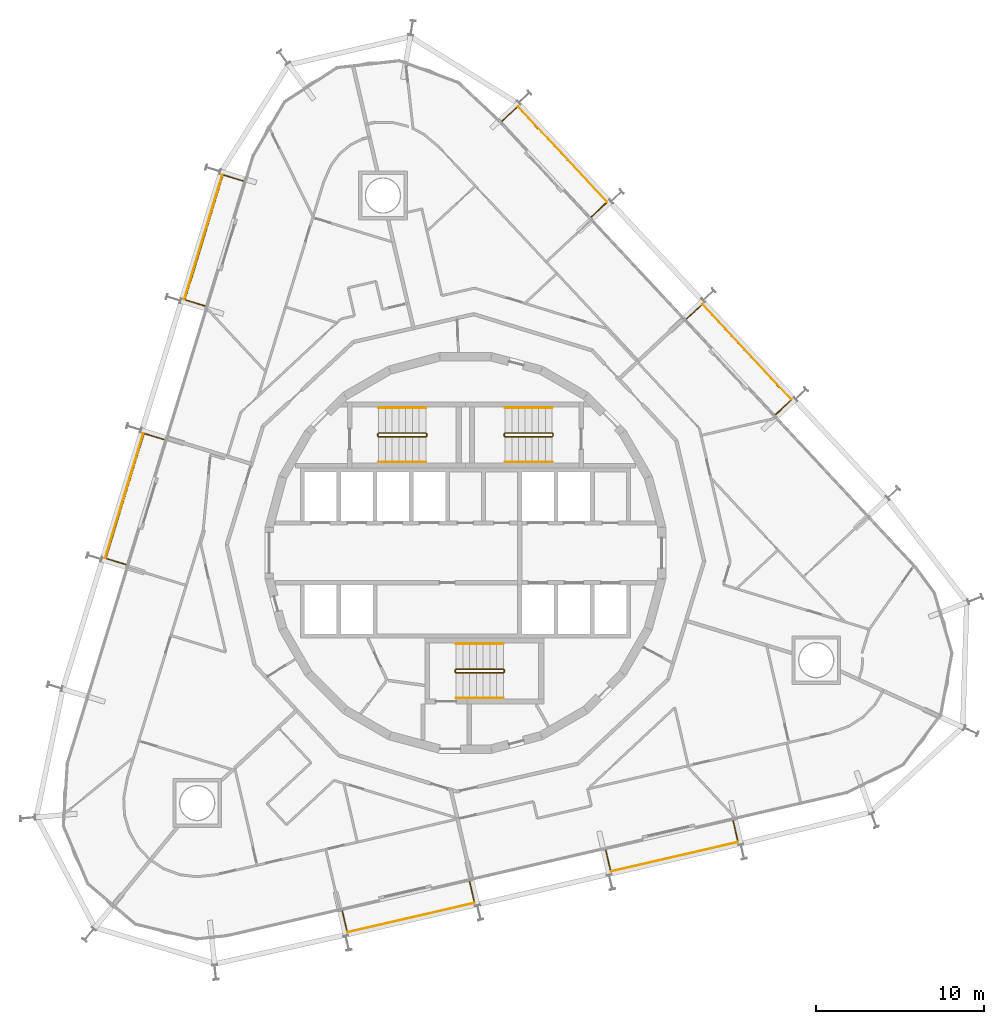
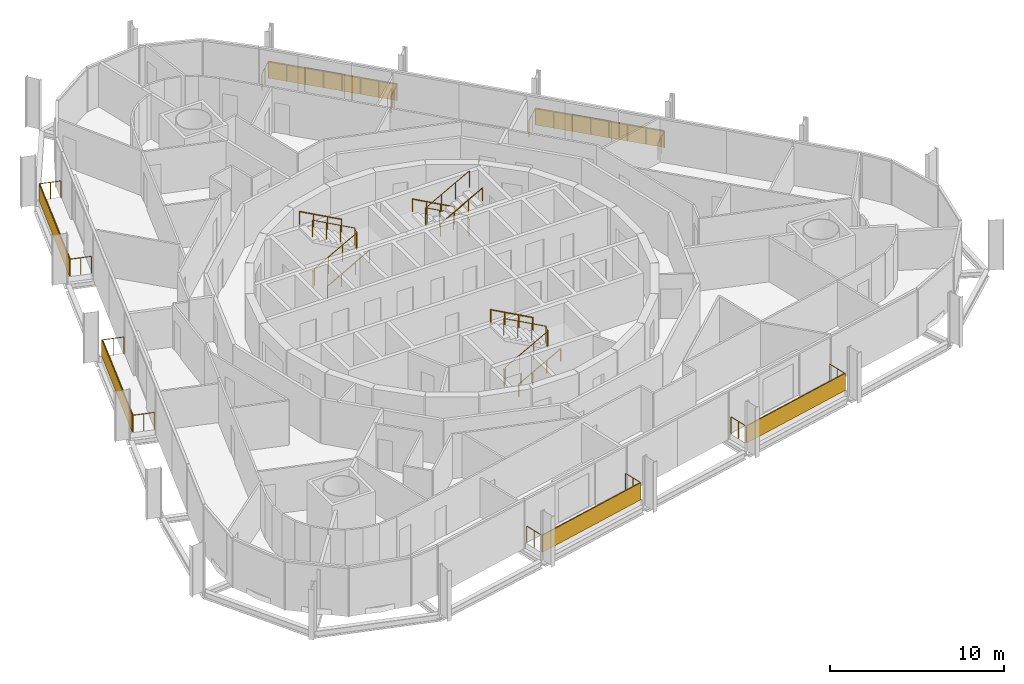
# One storey, part 18 of 18: 15 railings, 6 shading devices.
"""IFC4 building model written with IfcOpenShell, lengths in metres."""

from ifc_helpers import new_model, si_unit, direction, frame, origin, origin_2d, place, context, subcontext, project, spatial, rectangle, circle, extrude, material, layer, layer_set, type_object, element, save


model = new_model("IFC4")

# Units and contexts
model_context = context("Model", 3, precision=1e-05, world=origin(), true_north=direction((0.0, 1.0)))
body_context = subcontext(model_context, "Body", "Model", "MODEL_VIEW")
ifc_project = project(units=[si_unit("LENGTHUNIT", "METRE"), si_unit("AREAUNIT", "SQUARE_METRE"), si_unit("VOLUMEUNIT", "CUBIC_METRE"), si_unit("PLANEANGLEUNIT", "RADIAN"), si_unit("MASSUNIT", "GRAM", prefix="KILO")], contexts=[model_context])

# Site, building, storey
site_placement = place(None, origin())
site = spatial("IfcSite", under=ifc_project, at=site_placement, CompositionType="ELEMENT")
building_placement = place(site_placement, origin())
building = spatial("IfcBuilding", under=site, at=building_placement, Name="Spindle Arch Residences", CompositionType="ELEMENT")
storey_placement = place(building_placement, frame((0.0, 0.0, 134.39990234375)))
storey = spatial("IfcBuildingStorey", under=building, at=storey_placement, Name="L33", CompositionType="ELEMENT", Elevation=134.39990234375)

# Railings
ifc_material_1 = material(Name="Bronze anodised aluminium guard with glass infill", Category="aluminium")
railing_type_1 = type_object("IfcRailingType", Name="Balcony guard 1200", PredefinedType="GUARDRAIL", material=ifc_material_1)
railing_1_placement = place(storey_placement, frame((8.33544921875, -17.658447265625, 0.0)))
element("IfcRailing", 1, at=railing_1_placement, inside=storey, type_object=railing_type_1, Name="Guard L33 bay 1", PredefinedType="GUARDRAIL", context=body_context, shape_type="SweptSolid", body=[
    extrude(circle(Radius=0.02392578125, at=origin_2d()), frame((0.0, 0.0, 1.17578125), z_axis=(0.224987877395, -0.974361562781, 0.0), x_axis=(0.974361562781, 0.224987877395, 0.0)), (0.0, 0.0, 1.0), 1.25),
    extrude(circle(Radius=0.02392578125, at=origin_2d()), frame((0.28125, -1.218017578125, 1.17578125), z_axis=(0.974365204353, 0.224972106149, 0.0), x_axis=(-0.224972106149, 0.974365204353, 0.0)), (0.0, 0.0, 1.0), 7.75927734375),
    extrude(circle(Radius=0.02392578125, at=origin_2d()), frame((7.841552734375, 0.527587890625, 1.17578125), z_axis=(-0.225030699336, 0.974351673861, 0.0), x_axis=(-0.974351673861, -0.225030699336, 0.0)), (0.0, 0.0, 1.0), 1.249755859375),
    extrude(circle(Radius=0.02099609375, at=origin_2d()), origin(), (0.0, 0.0, 1.0), 1.15185546875),
    extrude(circle(Radius=0.02099609375, at=origin_2d()), frame((0.140625, -0.60888671875, 0.0)), (0.0, 0.0, 1.0), 1.15185546875),
    extrude(circle(Radius=0.02099609375, at=origin_2d()), frame((0.28125, -1.218017578125, 0.0)), (0.0, 0.0, 1.0), 1.15185546875),
    extrude(circle(Radius=0.02099609375, at=origin_2d()), frame((1.361328125, -0.96875, 0.0)), (0.0, 0.0, 1.0), 1.15185546875),
    extrude(circle(Radius=0.02099609375, at=origin_2d()), frame((2.44140625, -0.71923828125, 0.0)), (0.0, 0.0, 1.0), 1.15185546875),
    extrude(circle(Radius=0.02099609375, at=origin_2d()), frame((3.521484375, -0.469970703125, 0.0)), (0.0, 0.0, 1.0), 1.15185546875),
    extrude(circle(Radius=0.02099609375, at=origin_2d()), frame((4.601318359375, -0.220458984375, 0.0)), (0.0, 0.0, 1.0), 1.15185546875),
    extrude(circle(Radius=0.02099609375, at=origin_2d()), frame((5.681396484375, 0.02880859375, 0.0)), (0.0, 0.0, 1.0), 1.15185546875),
    extrude(circle(Radius=0.02099609375, at=origin_2d()), frame((6.761474609375, 0.2783203125, 0.0)), (0.0, 0.0, 1.0), 1.15185546875),
    extrude(circle(Radius=0.02099609375, at=origin_2d()), frame((7.841552734375, 0.527587890625, 0.0)), (0.0, 0.0, 1.0), 1.15185546875),
    extrude(circle(Radius=0.02099609375, at=origin_2d()), frame((7.700927734375, 1.136474609375, 0.0)), (0.0, 0.0, 1.0), 1.15185546875),
    extrude(circle(Radius=0.02099609375, at=origin_2d()), frame((7.560302734375, 1.745361328125, 0.0)), (0.0, 0.0, 1.0), 1.15185546875),
])
railing_2_placement = place(storey_placement, frame((18.426025390625, 8.218505859375, 0.0)))
element("IfcRailing", 2, at=railing_2_placement, inside=storey, type_object=railing_type_1, Name="Guard L33 bay 7", PredefinedType="GUARDRAIL", context=body_context, shape_type="SweptSolid", body=[
    extrude(circle(Radius=0.02392578125, at=origin_2d()), frame((0.0, 0.0, 1.17578125), z_axis=(0.731477318681, 0.681865772902, 0.0), x_axis=(-0.681865772902, 0.731477318681, 0.0)), (0.0, 0.0, 1.0), 1.25),
    extrude(circle(Radius=0.02392578125, at=origin_2d()), frame((0.914306640625, 0.852294921875, 1.17578125), z_axis=(-0.681991953625, 0.731359675666, 0.0), x_axis=(-0.731359675666, -0.681991953625, 0.0)), (0.0, 0.0, 1.0), 7.75927734375),
    extrude(circle(Radius=0.02392578125, at=origin_2d()), frame((-4.37744140625, 6.527099609375, 1.17578125), z_axis=(-0.731379904041, -0.681970260323, 0.0), x_axis=(0.681970260323, -0.731379904041, 0.0)), (0.0, 0.0, 1.0), 1.25),
    extrude(circle(Radius=0.02099609375, at=origin_2d()), origin(), (0.0, 0.0, 1.0), 1.15185546875),
    extrude(circle(Radius=0.02099609375, at=origin_2d()), frame((0.45703125, 0.42626953125, 0.0)), (0.0, 0.0, 1.0), 1.15185546875),
    extrude(circle(Radius=0.02099609375, at=origin_2d()), frame((0.914306640625, 0.852294921875, 0.0)), (0.0, 0.0, 1.0), 1.15185546875),
    extrude(circle(Radius=0.02099609375, at=origin_2d()), frame((0.158447265625, 1.6630859375, 0.0)), (0.0, 0.0, 1.0), 1.15185546875),
    extrude(circle(Radius=0.02099609375, at=origin_2d()), frame((-0.59765625, 2.4736328125, 0.0)), (0.0, 0.0, 1.0), 1.15185546875),
    extrude(circle(Radius=0.02099609375, at=origin_2d()), frame((-1.353515625, 3.284423828125, 0.0)), (0.0, 0.0, 1.0), 1.15185546875),
    extrude(circle(Radius=0.02099609375, at=origin_2d()), frame((-2.109619140625, 4.094970703125, 0.0)), (0.0, 0.0, 1.0), 1.15185546875),
    extrude(circle(Radius=0.02099609375, at=origin_2d()), frame((-2.865478515625, 4.90576171875, 0.0)), (0.0, 0.0, 1.0), 1.15185546875),
    extrude(circle(Radius=0.02099609375, at=origin_2d()), frame((-3.62158203125, 5.71630859375, 0.0)), (0.0, 0.0, 1.0), 1.15185546875),
    extrude(circle(Radius=0.02099609375, at=origin_2d()), frame((-4.37744140625, 6.527099609375, 0.0)), (0.0, 0.0, 1.0), 1.15185546875),
    extrude(circle(Radius=0.02099609375, at=origin_2d()), frame((-4.83447265625, 6.100830078125, 0.0)), (0.0, 0.0, 1.0), 1.15185546875),
    extrude(circle(Radius=0.02099609375, at=origin_2d()), frame((-5.291748046875, 5.674560546875, 0.0)), (0.0, 0.0, 1.0), 1.15185546875),
])
railing_3_placement = place(storey_placement, frame((7.474365234375, 19.962646484375, 0.0)))
element("IfcRailing", 3, at=railing_3_placement, inside=storey, type_object=railing_type_1, Name="Guard L33 bay 9", PredefinedType="GUARDRAIL", context=body_context, shape_type="SweptSolid", body=[
    extrude(circle(Radius=0.02392578125, at=origin_2d()), frame((0.0, 0.0, 1.17578125), z_axis=(0.731289056092, 0.682067677317, 0.0), x_axis=(-0.682067677317, 0.731289056092, 0.0)), (0.0, 0.0, 1.0), 1.25),
    extrude(circle(Radius=0.02392578125, at=origin_2d()), frame((0.9140625, 0.8525390625, 1.17578125), z_axis=(-0.681991953625, 0.731359675666, 0.0), x_axis=(-0.731359675666, -0.681991953625, 0.0)), (0.0, 0.0, 1.0), 7.75927734375),
    extrude(circle(Radius=0.02392578125, at=origin_2d()), frame((-4.377685546875, 6.52734375, 1.17578125), z_axis=(-0.731289056092, -0.682067677317, 0.0), x_axis=(0.682067677317, -0.731289056092, 0.0)), (0.0, 0.0, 1.0), 1.25),
    extrude(circle(Radius=0.02099609375, at=origin_2d()), origin(), (0.0, 0.0, 1.0), 1.15185546875),
    extrude(circle(Radius=0.02099609375, at=origin_2d()), frame((0.45703125, 0.42626953125, 0.0)), (0.0, 0.0, 1.0), 1.15185546875),
    extrude(circle(Radius=0.02099609375, at=origin_2d()), frame((0.9140625, 0.8525390625, 0.0)), (0.0, 0.0, 1.0), 1.15185546875),
    extrude(circle(Radius=0.02099609375, at=origin_2d()), frame((0.158203125, 1.663330078125, 0.0)), (0.0, 0.0, 1.0), 1.15185546875),
    extrude(circle(Radius=0.02099609375, at=origin_2d()), frame((-0.597900390625, 2.473876953125, 0.0)), (0.0, 0.0, 1.0), 1.15185546875),
    extrude(circle(Radius=0.02099609375, at=origin_2d()), frame((-1.353759765625, 3.28466796875, 0.0)), (0.0, 0.0, 1.0), 1.15185546875),
    extrude(circle(Radius=0.02099609375, at=origin_2d()), frame((-2.10986328125, 4.09521484375, 0.0)), (0.0, 0.0, 1.0), 1.15185546875),
    extrude(circle(Radius=0.02099609375, at=origin_2d()), frame((-2.86572265625, 4.906005859375, 0.0)), (0.0, 0.0, 1.0), 1.15185546875),
    extrude(circle(Radius=0.02099609375, at=origin_2d()), frame((-3.621826171875, 5.716552734375, 0.0)), (0.0, 0.0, 1.0), 1.15185546875),
    extrude(circle(Radius=0.02099609375, at=origin_2d()), frame((-4.377685546875, 6.52734375, 0.0)), (0.0, 0.0, 1.0), 1.15185546875),
    extrude(circle(Radius=0.02099609375, at=origin_2d()), frame((-4.834716796875, 6.10107421875, 0.0)), (0.0, 0.0, 1.0), 1.15185546875),
    extrude(circle(Radius=0.02099609375, at=origin_2d()), frame((-5.291748046875, 5.6748046875, 0.0)), (0.0, 0.0, 1.0), 1.15185546875),
])
railing_4_placement = place(storey_placement, frame((-13.200439453125, 22.0859375, 0.0)))
element("IfcRailing", 4, at=railing_4_placement, inside=storey, type_object=railing_type_1, Name="Guard L33 bay 13", PredefinedType="GUARDRAIL", context=body_context, shape_type="SweptSolid", body=[
    extrude(circle(Radius=0.02392578125, at=origin_2d()), frame((0.0, 0.0, 1.17578125), z_axis=(-0.95629696894, 0.292397173714, 0.0), x_axis=(-0.292397173714, -0.95629696894, 0.0)), (0.0, 0.0, 1.0), 1.25),
    extrude(circle(Radius=0.02392578125, at=origin_2d()), frame((-1.1953125, 0.365478515625, 1.17578125), z_axis=(-0.29236961561, -0.956305394666, 0.0), x_axis=(0.956305394666, -0.29236961561, 0.0)), (0.0, 0.0, 1.0), 7.75927734375),
    extrude(circle(Radius=0.02392578125, at=origin_2d()), frame((-3.4638671875, -7.0546875, 1.17578125), z_axis=(0.95629696894, -0.292397173714, 0.0), x_axis=(0.292397173714, 0.95629696894, 0.0)), (0.0, 0.0, 1.0), 1.25),
    extrude(circle(Radius=0.02099609375, at=origin_2d()), origin(), (0.0, 0.0, 1.0), 1.15185546875),
    extrude(circle(Radius=0.02099609375, at=origin_2d()), frame((-0.59765625, 0.1826171875, 0.0)), (0.0, 0.0, 1.0), 1.15185546875),
    extrude(circle(Radius=0.02099609375, at=origin_2d()), frame((-1.1953125, 0.365478515625, 0.0)), (0.0, 0.0, 1.0), 1.15185546875),
    extrude(circle(Radius=0.02099609375, at=origin_2d()), frame((-1.519287109375, -0.694580078125, 0.0)), (0.0, 0.0, 1.0), 1.15185546875),
    extrude(circle(Radius=0.02099609375, at=origin_2d()), frame((-1.843505859375, -1.754638671875, 0.0)), (0.0, 0.0, 1.0), 1.15185546875),
    extrude(circle(Radius=0.02099609375, at=origin_2d()), frame((-2.16748046875, -2.814697265625, 0.0)), (0.0, 0.0, 1.0), 1.15185546875),
    extrude(circle(Radius=0.02099609375, at=origin_2d()), frame((-2.49169921875, -3.87451171875, 0.0)), (0.0, 0.0, 1.0), 1.15185546875),
    extrude(circle(Radius=0.02099609375, at=origin_2d()), frame((-2.815673828125, -4.9345703125, 0.0)), (0.0, 0.0, 1.0), 1.15185546875),
    extrude(circle(Radius=0.02099609375, at=origin_2d()), frame((-3.139892578125, -5.99462890625, 0.0)), (0.0, 0.0, 1.0), 1.15185546875),
    extrude(circle(Radius=0.02099609375, at=origin_2d()), frame((-3.4638671875, -7.0546875, 0.0)), (0.0, 0.0, 1.0), 1.15185546875),
    extrude(circle(Radius=0.02099609375, at=origin_2d()), frame((-2.8662109375, -7.2373046875, 0.0)), (0.0, 0.0, 1.0), 1.15185546875),
    extrude(circle(Radius=0.02099609375, at=origin_2d()), frame((-2.2685546875, -7.420166015625, 0.0)), (0.0, 0.0, 1.0), 1.15185546875),
])
railing_5_placement = place(storey_placement, frame((-17.895263671875, 6.729248046875, 0.0)))
element("IfcRailing", 5, at=railing_5_placement, inside=storey, type_object=railing_type_1, Name="Guard L33 bay 15", PredefinedType="GUARDRAIL", context=body_context, shape_type="SweptSolid", body=[
    extrude(circle(Radius=0.02392578125, at=origin_2d()), frame((0.0, 0.0, 1.17578125), z_axis=(-0.956313663541, 0.29234256776, 0.0), x_axis=(-0.29234256776, -0.956313663541, 0.0)), (0.0, 0.0, 1.0), 1.250244140625),
    extrude(circle(Radius=0.02392578125, at=origin_2d()), frame((-1.195556640625, 0.365478515625, 1.17578125), z_axis=(-0.29236961561, -0.956305394666, 0.0), x_axis=(0.956305394666, -0.29236961561, 0.0)), (0.0, 0.0, 1.0), 7.75927734375),
    extrude(circle(Radius=0.02392578125, at=origin_2d()), frame((-3.464111328125, -7.0546875, 1.17578125), z_axis=(0.956368246211, -0.292163956776, 0.0), x_axis=(0.292163956776, 0.956368246211, 0.0)), (0.0, 0.0, 1.0), 1.25),
    extrude(circle(Radius=0.02099609375, at=origin_2d()), origin(), (0.0, 0.0, 1.0), 1.15185546875),
    extrude(circle(Radius=0.02099609375, at=origin_2d()), frame((-0.59765625, 0.1826171875, 0.0)), (0.0, 0.0, 1.0), 1.15185546875),
    extrude(circle(Radius=0.02099609375, at=origin_2d()), frame((-1.195556640625, 0.365478515625, 0.0)), (0.0, 0.0, 1.0), 1.15185546875),
    extrude(circle(Radius=0.02099609375, at=origin_2d()), frame((-1.51953125, -0.694580078125, 0.0)), (0.0, 0.0, 1.0), 1.15185546875),
    extrude(circle(Radius=0.02099609375, at=origin_2d()), frame((-1.84375, -1.754638671875, 0.0)), (0.0, 0.0, 1.0), 1.15185546875),
    extrude(circle(Radius=0.02099609375, at=origin_2d()), frame((-2.167724609375, -2.814697265625, 0.0)), (0.0, 0.0, 1.0), 1.15185546875),
    extrude(circle(Radius=0.02099609375, at=origin_2d()), frame((-2.491943359375, -3.87451171875, 0.0)), (0.0, 0.0, 1.0), 1.15185546875),
    extrude(circle(Radius=0.02099609375, at=origin_2d()), frame((-2.81591796875, -4.9345703125, 0.0)), (0.0, 0.0, 1.0), 1.15185546875),
    extrude(circle(Radius=0.02099609375, at=origin_2d()), frame((-3.14013671875, -5.99462890625, 0.0)), (0.0, 0.0, 1.0), 1.15185546875),
    extrude(circle(Radius=0.02099609375, at=origin_2d()), frame((-3.464111328125, -7.0546875, 0.0)), (0.0, 0.0, 1.0), 1.15185546875),
    extrude(circle(Radius=0.02099609375, at=origin_2d()), frame((-2.8662109375, -7.2373046875, 0.0)), (0.0, 0.0, 1.0), 1.15185546875),
    extrude(circle(Radius=0.02099609375, at=origin_2d()), frame((-2.2685546875, -7.419921875, 0.0)), (0.0, 0.0, 1.0), 1.15185546875),
])
railing_6_placement = place(storey_placement, frame((-7.311279296875, -21.270751953125, 0.0)))
element("IfcRailing", 6, at=railing_6_placement, inside=storey, type_object=railing_type_1, Name="Guard L33 bay 21", PredefinedType="GUARDRAIL", context=body_context, shape_type="SweptSolid", body=[
    extrude(circle(Radius=0.02392578125, at=origin_2d()), frame((0.0, 0.0, 1.17578125), z_axis=(0.224987877395, -0.974361562781, 0.0), x_axis=(0.974361562781, 0.224987877395, 0.0)), (0.0, 0.0, 1.0), 1.25),
    extrude(circle(Radius=0.02392578125, at=origin_2d()), frame((0.28125, -1.218017578125, 1.17578125), z_axis=(0.974365204353, 0.224972106149, 0.0), x_axis=(-0.224972106149, 0.974365204353, 0.0)), (0.0, 0.0, 1.0), 7.75927734375),
    extrude(circle(Radius=0.02392578125, at=origin_2d()), frame((7.841552734375, 0.527587890625, 1.17578125), z_axis=(-0.225030699336, 0.974351673861, 0.0), x_axis=(-0.974351673861, -0.225030699336, 0.0)), (0.0, 0.0, 1.0), 1.249755859375),
    extrude(circle(Radius=0.02099609375, at=origin_2d()), origin(), (0.0, 0.0, 1.0), 1.15185546875),
    extrude(circle(Radius=0.02099609375, at=origin_2d()), frame((0.140625, -0.60888671875, 0.0)), (0.0, 0.0, 1.0), 1.15185546875),
    extrude(circle(Radius=0.02099609375, at=origin_2d()), frame((0.28125, -1.218017578125, 0.0)), (0.0, 0.0, 1.0), 1.15185546875),
    extrude(circle(Radius=0.02099609375, at=origin_2d()), frame((1.361328125, -0.96875, 0.0)), (0.0, 0.0, 1.0), 1.15185546875),
    extrude(circle(Radius=0.02099609375, at=origin_2d()), frame((2.44140625, -0.71923828125, 0.0)), (0.0, 0.0, 1.0), 1.15185546875),
    extrude(circle(Radius=0.02099609375, at=origin_2d()), frame((3.521484375, -0.469970703125, 0.0)), (0.0, 0.0, 1.0), 1.15185546875),
    extrude(circle(Radius=0.02099609375, at=origin_2d()), frame((4.601318359375, -0.220458984375, 0.0)), (0.0, 0.0, 1.0), 1.15185546875),
    extrude(circle(Radius=0.02099609375, at=origin_2d()), frame((5.681396484375, 0.02880859375, 0.0)), (0.0, 0.0, 1.0), 1.15185546875),
    extrude(circle(Radius=0.02099609375, at=origin_2d()), frame((6.761474609375, 0.2783203125, 0.0)), (0.0, 0.0, 1.0), 1.15185546875),
    extrude(circle(Radius=0.02099609375, at=origin_2d()), frame((7.841552734375, 0.527587890625, 0.0)), (0.0, 0.0, 1.0), 1.15185546875),
    extrude(circle(Radius=0.02099609375, at=origin_2d()), frame((7.700927734375, 1.136474609375, 0.0)), (0.0, 0.0, 1.0), 1.15185546875),
    extrude(circle(Radius=0.02099609375, at=origin_2d()), frame((7.560302734375, 1.745361328125, 0.0)), (0.0, 0.0, 1.0), 1.15185546875),
])

# Shading devices
ifc_material_2 = material(Name="Bronze perforated cobogo screen")
ifc_layer = layer(ifc_material_2, 0.0390625)
ifc_layer_set = layer_set([ifc_layer], Name="Cobogo screen 1200")
shading_device_type = type_object("IfcShadingDeviceType", Name="Cobogo screen 1200", PredefinedType="USERDEFINED", material=ifc_layer_set)
for number, where, z_axis, x_axis, name in (
    (7, (12.406005859375, -18.043212890625, 0.0), (0.0, 0.0, 1.0), (0.974370064785, 0.224951054344, 0.0), "Cobogo screen L33 bay 1"),
    (8, (16.723876953125, 11.935791015625, 0.0), (0.0, 0.0, 1.0), (-0.681998360062, 0.731353701619, 0.0), "Cobogo screen L33 bay 7"),
    (9, (5.772216796875, 23.68017578125, 0.0), (0.0, 0.0, 1.0), (-0.681998360062, 0.731353701619, 0.0), "Cobogo screen L33 bay 9"),
    (10, (-15.56884765625, 18.753173828125, 0.0), (0.0, 0.0, 1.0), (-0.292371704723, -0.956304755963, 0.0), "Cobogo screen L33 bay 13"),
    (11, (-20.263671875, 3.396484375, 0.0), (0.0, 0.0, 1.0), (-0.292371704723, -0.956304755963, 0.0), "Cobogo screen L33 bay 15"),
    (12, (-3.24072265625, -21.655517578125, 0.0), (0.0, 0.0, 1.0), (0.974370064785, 0.224951054344, 0.0), "Cobogo screen L33 bay 21"),
):
    element("IfcShadingDevice", number, at=place(storey_placement, frame(where, z_axis=z_axis, x_axis=x_axis)), inside=storey, type_object=shading_device_type, Name=name, ObjectType="SCREEN", PredefinedType="USERDEFINED", context=body_context, shape_type="SweptSolid", body=[
        extrude(rectangle(XDim=7.75927734375, YDim=0.0390625, at=origin_2d()), origin(), (0.0, 0.0, 1.0), 1.199951171875),
    ])

# Railings
ifc_material_3 = material(Name="Steel, painted", Category="steel")
railing_type_2 = type_object("IfcRailingType", Name="Stair guard 1100", PredefinedType="GUARDRAIL", material=ifc_material_3)
railing_7_placement = place(storey_placement, frame((5.14990234375, 6.89990234375, 3.5)))
element("IfcRailing", 13, at=railing_7_placement, inside=storey, type_object=railing_type_2, Name="L33 ST1 stair guard 1", PredefinedType="GUARDRAIL", context=body_context, shape_type="SweptSolid", body=[
    extrude(circle(Radius=0.02392578125, at=origin_2d()), frame((0.0, 0.0, 1.17578125), z_axis=(-0.877357048833, 0.0, -0.479838106931), x_axis=(0.0, -1.0, 0.0)), (0.0, 0.0, 1.0), 3.191162109375),
    extrude(circle(Radius=0.02392578125, at=origin_2d()), frame((-2.7998046875, 0.0, -0.35546875), z_axis=(-0.217683172539, 0.217683172539, -0.951434744366), x_axis=(-0.707106781187, -0.707106781187, 0.0)), (0.0, 0.0, 1.0), 0.22998046875),
    extrude(circle(Radius=0.02392578125, at=origin_2d()), frame((-2.849853515625, 0.050048828125, -0.57421875), z_axis=(0.0, 1.0, 0.0), x_axis=(-1.0, 0.0, 0.0)), (0.0, 0.0, 1.0), 0.1201171875),
    extrude(circle(Radius=0.02392578125, at=origin_2d()), frame((-2.849853515625, 0.170166015625, -0.57421875), z_axis=(0.707106781187, 0.707106781187, 0.0), x_axis=(-0.707106781187, 0.707106781187, 0.0)), (0.0, 0.0, 1.0), 0.07080078125),
    extrude(circle(Radius=0.02392578125, at=origin_2d()), frame((-2.7998046875, 0.22021484375, -0.57421875), z_axis=(0.877357048833, 0.0, -0.479838106931), x_axis=(0.0, 1.0, 0.0)), (0.0, 0.0, 1.0), 3.191162109375),
    extrude(circle(Radius=0.02392578125, at=origin_2d()), frame((0.0, 0.22021484375, -2.10546875), z_axis=(0.217683172539, -0.217683172539, -0.951434744366), x_axis=(0.707106781187, 0.707106781187, 0.0)), (0.0, 0.0, 1.0), 0.22998046875),
    extrude(circle(Radius=0.02392578125, at=origin_2d()), frame((0.050048828125, 0.170166015625, -2.32421875), z_axis=(0.0, -1.0, 0.0), x_axis=(1.0, 0.0, 0.0)), (0.0, 0.0, 1.0), 0.1201171875),
    extrude(circle(Radius=0.02099609375, at=origin_2d()), origin(), (0.0, 0.0, 1.0), 1.15185546875),
    extrude(circle(Radius=0.02099609375, at=origin_2d()), frame((-0.933349609375, 0.0, -0.510498046875)), (0.0, 0.0, 1.0), 1.15185546875),
    extrude(circle(Radius=0.02099609375, at=origin_2d()), frame((-1.866455078125, 0.0, -1.020751953125)), (0.0, 0.0, 1.0), 1.15185546875),
    extrude(circle(Radius=0.02099609375, at=origin_2d()), frame((-2.7998046875, 0.0, -1.53125)), (0.0, 0.0, 1.0), 1.15185546875),
    extrude(circle(Radius=0.02099609375, at=origin_2d()), frame((-2.849853515625, 0.050048828125, -1.75)), (0.0, 0.0, 1.0), 1.15185546875),
    extrude(circle(Radius=0.02099609375, at=origin_2d()), frame((-2.849853515625, 0.170166015625, -1.75)), (0.0, 0.0, 1.0), 1.15185546875),
    extrude(circle(Radius=0.02099609375, at=origin_2d()), frame((-2.7998046875, 0.22021484375, -1.75)), (0.0, 0.0, 1.0), 1.15185546875),
    extrude(circle(Radius=0.02099609375, at=origin_2d()), frame((-1.866455078125, 0.22021484375, -2.260498046875)), (0.0, 0.0, 1.0), 1.15185546875),
    extrude(circle(Radius=0.02099609375, at=origin_2d()), frame((-0.933349609375, 0.22021484375, -2.770751953125)), (0.0, 0.0, 1.0), 1.15185546875),
    extrude(circle(Radius=0.02099609375, at=origin_2d()), frame((0.0, 0.22021484375, -3.28125)), (0.0, 0.0, 1.0), 1.15185546875),
    extrude(circle(Radius=0.02099609375, at=origin_2d()), frame((0.050048828125, 0.170166015625, -3.5)), (0.0, 0.0, 1.0), 1.15185546875),
    extrude(circle(Radius=0.02099609375, at=origin_2d()), frame((0.050048828125, 0.050048828125, -3.5)), (0.0, 0.0, 1.0), 1.15185546875),
])
railing_8_placement = place(storey_placement, frame((-5.14990234375, 7.1201171875, 3.5)))
element("IfcRailing", 14, at=railing_8_placement, inside=storey, type_object=railing_type_2, Name="L33 ST2 stair guard 1", PredefinedType="GUARDRAIL", context=body_context, shape_type="SweptSolid", body=[
    extrude(circle(Radius=0.02392578125, at=origin_2d()), frame((0.0, 0.0, 1.17578125), z_axis=(0.877357048833, 0.0, -0.479838106931), x_axis=(0.0, 1.0, 0.0)), (0.0, 0.0, 1.0), 3.191162109375),
    extrude(circle(Radius=0.02392578125, at=origin_2d()), frame((2.7998046875, 0.0, -0.35546875), z_axis=(0.217683172539, -0.217683172539, -0.951434744366), x_axis=(0.707106781187, 0.707106781187, 0.0)), (0.0, 0.0, 1.0), 0.22998046875),
    extrude(circle(Radius=0.02392578125, at=origin_2d()), frame((2.849853515625, -0.050048828125, -0.57421875), z_axis=(0.0, -1.0, 0.0), x_axis=(1.0, 0.0, 0.0)), (0.0, 0.0, 1.0), 0.1201171875),
    extrude(circle(Radius=0.02392578125, at=origin_2d()), frame((2.849853515625, -0.170166015625, -0.57421875), z_axis=(-0.707106781187, -0.707106781187, 0.0), x_axis=(0.707106781187, -0.707106781187, 0.0)), (0.0, 0.0, 1.0), 0.07080078125),
    extrude(circle(Radius=0.02392578125, at=origin_2d()), frame((2.7998046875, -0.22021484375, -0.57421875), z_axis=(-0.877357048833, 0.0, -0.479838106931), x_axis=(0.0, -1.0, 0.0)), (0.0, 0.0, 1.0), 3.191162109375),
    extrude(circle(Radius=0.02392578125, at=origin_2d()), frame((0.0, -0.22021484375, -2.10546875), z_axis=(-0.217683172539, 0.217683172539, -0.951434744366), x_axis=(-0.707106781187, -0.707106781187, 0.0)), (0.0, 0.0, 1.0), 0.22998046875),
    extrude(circle(Radius=0.02392578125, at=origin_2d()), frame((-0.050048828125, -0.170166015625, -2.32421875), z_axis=(0.0, 1.0, 0.0), x_axis=(-1.0, 0.0, 0.0)), (0.0, 0.0, 1.0), 0.1201171875),
    extrude(circle(Radius=0.02099609375, at=origin_2d()), origin(), (0.0, 0.0, 1.0), 1.15185546875),
    extrude(circle(Radius=0.02099609375, at=origin_2d()), frame((0.933349609375, 0.0, -0.510498046875)), (0.0, 0.0, 1.0), 1.15185546875),
    extrude(circle(Radius=0.02099609375, at=origin_2d()), frame((1.866455078125, 0.0, -1.020751953125)), (0.0, 0.0, 1.0), 1.15185546875),
    extrude(circle(Radius=0.02099609375, at=origin_2d()), frame((2.7998046875, 0.0, -1.53125)), (0.0, 0.0, 1.0), 1.15185546875),
    extrude(circle(Radius=0.02099609375, at=origin_2d()), frame((2.849853515625, -0.050048828125, -1.75)), (0.0, 0.0, 1.0), 1.15185546875),
    extrude(circle(Radius=0.02099609375, at=origin_2d()), frame((2.849853515625, -0.170166015625, -1.75)), (0.0, 0.0, 1.0), 1.15185546875),
    extrude(circle(Radius=0.02099609375, at=origin_2d()), frame((2.7998046875, -0.22021484375, -1.75)), (0.0, 0.0, 1.0), 1.15185546875),
    extrude(circle(Radius=0.02099609375, at=origin_2d()), frame((1.866455078125, -0.22021484375, -2.260498046875)), (0.0, 0.0, 1.0), 1.15185546875),
    extrude(circle(Radius=0.02099609375, at=origin_2d()), frame((0.933349609375, -0.22021484375, -2.770751953125)), (0.0, 0.0, 1.0), 1.15185546875),
    extrude(circle(Radius=0.02099609375, at=origin_2d()), frame((0.0, -0.22021484375, -3.28125)), (0.0, 0.0, 1.0), 1.15185546875),
    extrude(circle(Radius=0.02099609375, at=origin_2d()), frame((-0.050048828125, -0.170166015625, -3.5)), (0.0, 0.0, 1.0), 1.15185546875),
    extrude(circle(Radius=0.02099609375, at=origin_2d()), frame((-0.050048828125, -0.050048828125, -3.5)), (0.0, 0.0, 1.0), 1.15185546875),
])
railing_9_placement = place(storey_placement, frame((-0.550048828125, -6.89990234375, 3.5)))
element("IfcRailing", 15, at=railing_9_placement, inside=storey, type_object=railing_type_2, Name="L33 ST3 stair guard 1", PredefinedType="GUARDRAIL", context=body_context, shape_type="SweptSolid", body=[
    extrude(circle(Radius=0.02392578125, at=origin_2d()), frame((0.0, 0.0, 1.17578125), z_axis=(0.877374661878, 0.0, -0.479805901063), x_axis=(0.0, 1.0, 0.0)), (0.0, 0.0, 1.0), 3.19140625),
    extrude(circle(Radius=0.02392578125, at=origin_2d()), frame((2.800048828125, 0.0, -0.35546875), z_axis=(0.217683172539, -0.217683172539, -0.951434744366), x_axis=(0.707106781187, 0.707106781187, 0.0)), (0.0, 0.0, 1.0), 0.22998046875),
    extrude(circle(Radius=0.02392578125, at=origin_2d()), frame((2.85009765625, -0.050048828125, -0.57421875), z_axis=(0.0, -1.0, 0.0), x_axis=(1.0, 0.0, 0.0)), (0.0, 0.0, 1.0), 0.1201171875),
    extrude(circle(Radius=0.02392578125, at=origin_2d()), frame((2.85009765625, -0.170166015625, -0.57421875), z_axis=(-0.707106781187, -0.707106781187, 0.0), x_axis=(0.707106781187, -0.707106781187, 0.0)), (0.0, 0.0, 1.0), 0.07080078125),
    extrude(circle(Radius=0.02392578125, at=origin_2d()), frame((2.800048828125, -0.22021484375, -0.57421875), z_axis=(-0.877374661878, 0.0, -0.479805901063), x_axis=(0.0, -1.0, 0.0)), (0.0, 0.0, 1.0), 3.19140625),
    extrude(circle(Radius=0.02392578125, at=origin_2d()), frame((0.0, -0.22021484375, -2.10546875), z_axis=(-0.217683172539, 0.217683172539, -0.951434744366), x_axis=(-0.707106781187, -0.707106781187, 0.0)), (0.0, 0.0, 1.0), 0.22998046875),
    extrude(circle(Radius=0.02392578125, at=origin_2d()), frame((-0.050048828125, -0.170166015625, -2.32421875), z_axis=(0.0, 1.0, 0.0), x_axis=(-1.0, 0.0, 0.0)), (0.0, 0.0, 1.0), 0.1201171875),
    extrude(circle(Radius=0.02099609375, at=origin_2d()), origin(), (0.0, 0.0, 1.0), 1.15185546875),
    extrude(circle(Radius=0.02099609375, at=origin_2d()), frame((0.933349609375, 0.0, -0.510498046875)), (0.0, 0.0, 1.0), 1.15185546875),
    extrude(circle(Radius=0.02099609375, at=origin_2d()), frame((1.86669921875, 0.0, -1.020751953125)), (0.0, 0.0, 1.0), 1.15185546875),
    extrude(circle(Radius=0.02099609375, at=origin_2d()), frame((2.800048828125, 0.0, -1.53125)), (0.0, 0.0, 1.0), 1.15185546875),
    extrude(circle(Radius=0.02099609375, at=origin_2d()), frame((2.85009765625, -0.050048828125, -1.75)), (0.0, 0.0, 1.0), 1.15185546875),
    extrude(circle(Radius=0.02099609375, at=origin_2d()), frame((2.85009765625, -0.170166015625, -1.75)), (0.0, 0.0, 1.0), 1.15185546875),
    extrude(circle(Radius=0.02099609375, at=origin_2d()), frame((2.800048828125, -0.22021484375, -1.75)), (0.0, 0.0, 1.0), 1.15185546875),
    extrude(circle(Radius=0.02099609375, at=origin_2d()), frame((1.86669921875, -0.22021484375, -2.260498046875)), (0.0, 0.0, 1.0), 1.15185546875),
    extrude(circle(Radius=0.02099609375, at=origin_2d()), frame((0.933349609375, -0.22021484375, -2.770751953125)), (0.0, 0.0, 1.0), 1.15185546875),
    extrude(circle(Radius=0.02099609375, at=origin_2d()), frame((0.0, -0.22021484375, -3.28125)), (0.0, 0.0, 1.0), 1.15185546875),
    extrude(circle(Radius=0.02099609375, at=origin_2d()), frame((-0.050048828125, -0.170166015625, -3.5)), (0.0, 0.0, 1.0), 1.15185546875),
    extrude(circle(Radius=0.02099609375, at=origin_2d()), frame((-0.050048828125, -0.050048828125, -3.5)), (0.0, 0.0, 1.0), 1.15185546875),
])
ifc_material_4 = material(Name="Steel, painted", Category="steel")
railing_type_3 = type_object("IfcRailingType", Name="Stair handrail 900", PredefinedType="HANDRAIL", material=ifc_material_4)
railing_10_placement = place(storey_placement, frame((5.14990234375, 8.6201171875, 0.21875)))
element("IfcRailing", 16, at=railing_10_placement, inside=storey, type_object=railing_type_3, Name="L33 ST1 stair handrail 1", PredefinedType="HANDRAIL", context=body_context, shape_type="SweptSolid", body=[
    extrude(circle(Radius=0.02392578125, at=origin_2d()), frame((0.0, 0.0, 0.8759765625), z_axis=(-0.877357048833, 0.0, 0.479838106931), x_axis=(0.0, -1.0, 0.0)), (0.0, 0.0, 1.0), 3.191162109375),
    extrude(circle(Radius=0.02099609375, at=origin_2d()), origin(), (0.0, 0.0, 1.0), 0.851806640625),
    extrude(circle(Radius=0.02099609375, at=origin_2d()), frame((-0.933349609375, 0.0, 0.510498046875)), (0.0, 0.0, 1.0), 0.851806640625),
    extrude(circle(Radius=0.02099609375, at=origin_2d()), frame((-1.866455078125, 0.0, 1.020751953125)), (0.0, 0.0, 1.0), 0.851806640625),
    extrude(circle(Radius=0.02099609375, at=origin_2d()), frame((-2.7998046875, 0.0, 1.53125)), (0.0, 0.0, 1.0), 0.851806640625),
])
for number, where, name in (
    (17, (2.35009765625, 5.39990234375, 1.96875), "L33 ST1 stair handrail 2"),
    (18, (-5.14990234375, 5.39990234375, 0.21875), "L33 ST2 stair handrail 1"),
):
    element("IfcRailing", number, at=place(storey_placement, frame(where)), inside=storey, type_object=railing_type_3, Name=name, PredefinedType="HANDRAIL", context=body_context, shape_type="SweptSolid", body=[
        extrude(circle(Radius=0.02392578125, at=origin_2d()), frame((0.0, 0.0, 0.8759765625), z_axis=(0.877357048833, 0.0, 0.479838106931), x_axis=(0.0, 1.0, 0.0)), (0.0, 0.0, 1.0), 3.191162109375),
        extrude(circle(Radius=0.02099609375, at=origin_2d()), origin(), (0.0, 0.0, 1.0), 0.851806640625),
        extrude(circle(Radius=0.02099609375, at=origin_2d()), frame((0.933349609375, 0.0, 0.510498046875)), (0.0, 0.0, 1.0), 0.851806640625),
        extrude(circle(Radius=0.02099609375, at=origin_2d()), frame((1.866455078125, 0.0, 1.020751953125)), (0.0, 0.0, 1.0), 0.851806640625),
        extrude(circle(Radius=0.02099609375, at=origin_2d()), frame((2.7998046875, 0.0, 1.53125)), (0.0, 0.0, 1.0), 0.851806640625),
    ])
railing_11_placement = place(storey_placement, frame((-2.35009765625, 8.6201171875, 1.96875)))
element("IfcRailing", 19, at=railing_11_placement, inside=storey, type_object=railing_type_3, Name="L33 ST2 stair handrail 2", PredefinedType="HANDRAIL", context=body_context, shape_type="SweptSolid", body=[
    extrude(circle(Radius=0.02392578125, at=origin_2d()), frame((0.0, 0.0, 0.8759765625), z_axis=(-0.877357048833, 0.0, 0.479838106931), x_axis=(0.0, -1.0, 0.0)), (0.0, 0.0, 1.0), 3.191162109375),
    extrude(circle(Radius=0.02099609375, at=origin_2d()), origin(), (0.0, 0.0, 1.0), 0.851806640625),
    extrude(circle(Radius=0.02099609375, at=origin_2d()), frame((-0.933349609375, 0.0, 0.510498046875)), (0.0, 0.0, 1.0), 0.851806640625),
    extrude(circle(Radius=0.02099609375, at=origin_2d()), frame((-1.866455078125, 0.0, 1.020751953125)), (0.0, 0.0, 1.0), 0.851806640625),
    extrude(circle(Radius=0.02099609375, at=origin_2d()), frame((-2.7998046875, 0.0, 1.53125)), (0.0, 0.0, 1.0), 0.851806640625),
])
railing_12_placement = place(storey_placement, frame((-0.550048828125, -8.6201171875, 0.21875)))
element("IfcRailing", 20, at=railing_12_placement, inside=storey, type_object=railing_type_3, Name="L33 ST3 stair handrail 1", PredefinedType="HANDRAIL", context=body_context, shape_type="SweptSolid", body=[
    extrude(circle(Radius=0.02392578125, at=origin_2d()), frame((0.0, 0.0, 0.8759765625), z_axis=(0.877374661878, 0.0, 0.479805901063), x_axis=(0.0, 1.0, 0.0)), (0.0, 0.0, 1.0), 3.19140625),
    extrude(circle(Radius=0.02099609375, at=origin_2d()), origin(), (0.0, 0.0, 1.0), 0.851806640625),
    extrude(circle(Radius=0.02099609375, at=origin_2d()), frame((0.933349609375, 0.0, 0.510498046875)), (0.0, 0.0, 1.0), 0.851806640625),
    extrude(circle(Radius=0.02099609375, at=origin_2d()), frame((1.86669921875, 0.0, 1.020751953125)), (0.0, 0.0, 1.0), 0.851806640625),
    extrude(circle(Radius=0.02099609375, at=origin_2d()), frame((2.800048828125, 0.0, 1.53125)), (0.0, 0.0, 1.0), 0.851806640625),
])
railing_13_placement = place(storey_placement, frame((2.25, -5.39990234375, 1.96875)))
element("IfcRailing", 21, at=railing_13_placement, inside=storey, type_object=railing_type_3, Name="L33 ST3 stair handrail 2", PredefinedType="HANDRAIL", context=body_context, shape_type="SweptSolid", body=[
    extrude(circle(Radius=0.02392578125, at=origin_2d()), frame((0.0, 0.0, 0.8759765625), z_axis=(-0.877374661878, 0.0, 0.479805901063), x_axis=(0.0, -1.0, 0.0)), (0.0, 0.0, 1.0), 3.19140625),
    extrude(circle(Radius=0.02099609375, at=origin_2d()), origin(), (0.0, 0.0, 1.0), 0.851806640625),
    extrude(circle(Radius=0.02099609375, at=origin_2d()), frame((-0.933349609375, 0.0, 0.510498046875)), (0.0, 0.0, 1.0), 0.851806640625),
    extrude(circle(Radius=0.02099609375, at=origin_2d()), frame((-1.86669921875, 0.0, 1.020751953125)), (0.0, 0.0, 1.0), 0.851806640625),
    extrude(circle(Radius=0.02099609375, at=origin_2d()), frame((-2.800048828125, 0.0, 1.53125)), (0.0, 0.0, 1.0), 0.851806640625),
])

save(model, "model.ifc")
